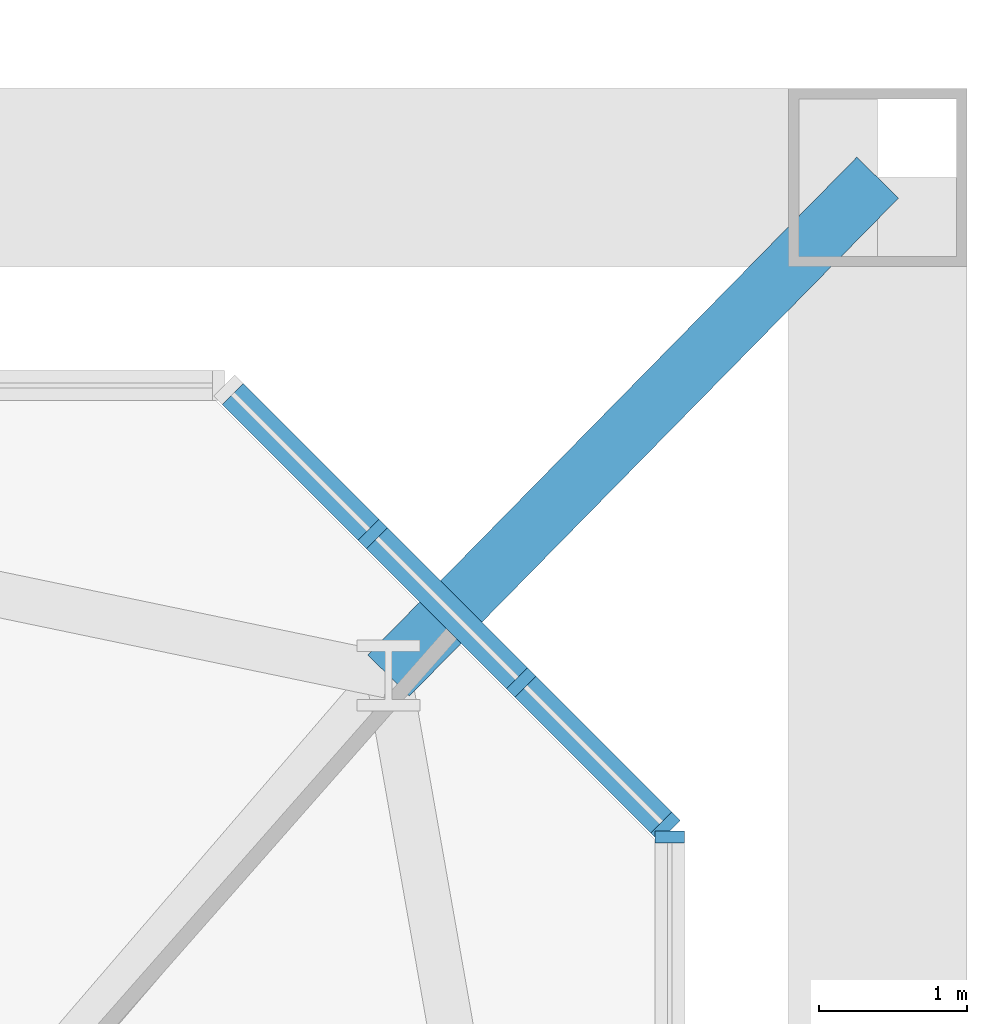
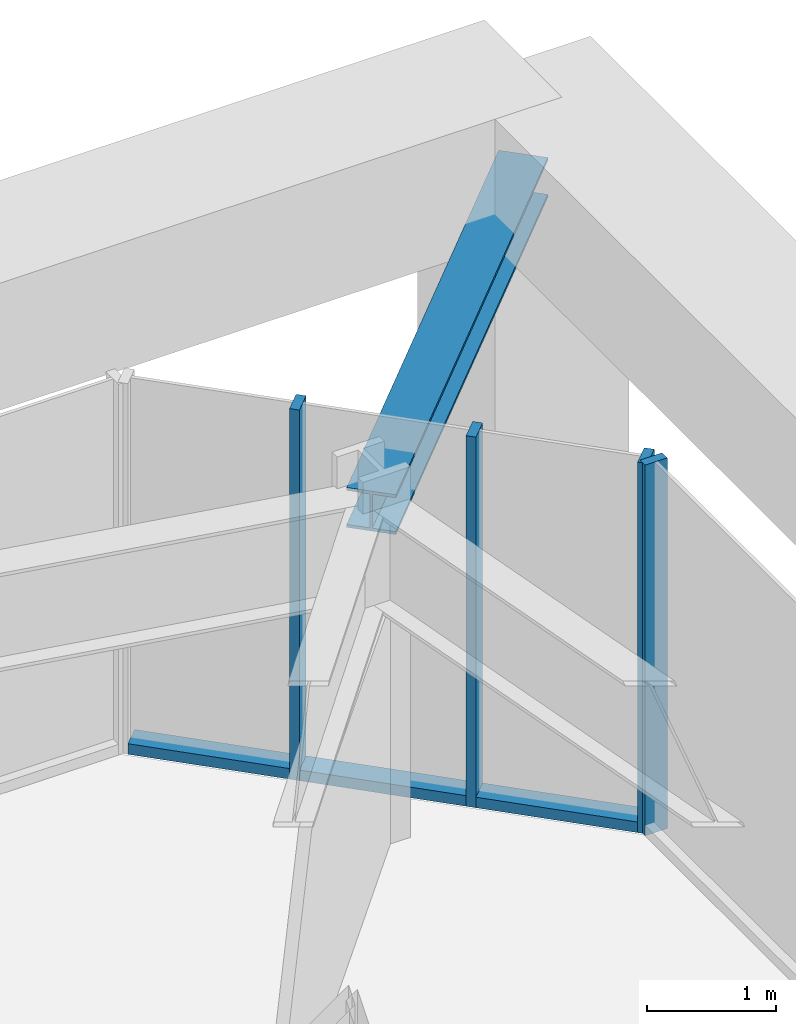
# One storey, part 17 of 32: 8 members, 2 elements without a shape of their own.
"""IFC4 building model written with IfcOpenShell, lengths in metres."""

from ifc_helpers import new_model, si_unit, direction, frame, origin, origin_2d, place, context, subcontext, project, spatial, rectangle, i_section, extrude, material, material_profile, profile_set, type_object, element, aggregate, save


model = new_model("IFC4")

# Units and contexts
model_context = context("Model", 3, precision=1e-05, world=origin(), true_north=direction((0.0, 1.0)))
body_context = subcontext(model_context, "Body", "Model", "MODEL_VIEW")
ifc_project = project(units=[si_unit("LENGTHUNIT", "METRE"), si_unit("AREAUNIT", "SQUARE_METRE"), si_unit("VOLUMEUNIT", "CUBIC_METRE"), si_unit("PLANEANGLEUNIT", "RADIAN"), si_unit("MASSUNIT", "GRAM", prefix="KILO")], contexts=[model_context])

# Site, building, storey
site_placement = place(None, origin())
site = spatial("IfcSite", under=ifc_project, at=site_placement, CompositionType="ELEMENT")
building_placement = place(site_placement, origin())
building = spatial("IfcBuilding", under=site, at=building_placement, Name="Iwan Alto Co-Living Towers", CompositionType="ELEMENT")
storey_placement = place(building_placement, frame((0.0, 0.0, 71.0)))
storey = spatial("IfcBuildingStorey", under=building, at=storey_placement, Name="L19", CompositionType="ELEMENT", Elevation=71.0)

# Curtain wall, member
ifc_material_1 = material(Name="Bronze aluminium unitised frame", Category="aluminium")
curtain_wall_type_1 = type_object("IfcCurtainWallType", Name="CURTAIN WALL CW-C", PredefinedType="NOTDEFINED", material=ifc_material_1)
curtain_wall_1_placement = place(storey_placement, origin())
curtain_wall_1 = element("IfcCurtainWall", 1, at=curtain_wall_1_placement, inside=storey, type_object=curtain_wall_type_1, Name="T2 curtain wall E L19", PredefinedType="NOTDEFINED")
ifc_material_2 = material(Name="Aluminium 6063-T6 bronze anodised", Category="aluminium")
ifc_material_profile_1 = material_profile(ifc_material_2, rectangle(XDim=0.199951171875, YDim=0.080078125, at=origin_2d()), Name="AL 80X200")
ifc_profile_set_1 = profile_set([ifc_material_profile_1], Name="Aluminium 6063-T6 bronze anodised")
member_type_1 = type_object("IfcMemberType", Name="CW-C MULLION 80X200", PredefinedType="MULLION", material=ifc_profile_set_1)
member_1_placement = place(storey_placement, frame((79.5, 15.7099609375, 0.0), z_axis=(0.0, 0.0, 1.0), x_axis=(-1.0, 0.0, 0.0)))
member_1 = element("IfcMember", 2, at=member_1_placement, type_object=member_type_1, Name="CW-C mullion 8", PredefinedType="MULLION", context=body_context, shape_type="SweptSolid", body=[
    extrude(rectangle(XDim=0.199951171875, YDim=0.080078125, at=origin_2d()), origin(), (0.0, 0.0, 1.0), 3.5),
])
aggregate(curtain_wall_1, [member_1])

# Curtain wall, members
ifc_material_3 = material(Name="Bronze aluminium unitised frame", Category="aluminium")
curtain_wall_type_2 = type_object("IfcCurtainWallType", Name="CURTAIN WALL CW-D", PredefinedType="NOTDEFINED", material=ifc_material_3)
curtain_wall_2_placement = place(storey_placement, origin())
curtain_wall_2 = element("IfcCurtainWall", 3, at=curtain_wall_2_placement, inside=storey, type_object=curtain_wall_type_2, Name="T2 chamfer curtain wall NE L19", PredefinedType="NOTDEFINED")
ifc_material_4 = material(Name="Aluminium 6063-T6 bronze anodised", Category="aluminium")
ifc_material_profile_2 = material_profile(ifc_material_4, rectangle(XDim=0.199951171875, YDim=0.080078125, at=origin_2d()), Name="AL 80X200")
ifc_profile_set_2 = profile_set([ifc_material_profile_2], Name="Aluminium 6063-T6 bronze anodised")
member_type_2 = type_object("IfcMemberType", Name="CW-D MULLION 80X200", PredefinedType="MULLION", material=ifc_profile_set_2)
member_2_placement = place(storey_placement, frame((79.4716796875, 15.7783203125, 0.0), z_axis=(0.0, 0.0, 1.0), x_axis=(-0.707106781187, -0.707106781187, 0.0)))
member_2 = element("IfcMember", 4, at=member_2_placement, type_object=member_type_2, Name="CW-D mullion 1", PredefinedType="MULLION", context=body_context, shape_type="SweptSolid", body=[
    extrude(rectangle(XDim=0.199951171875, YDim=0.080078125, at=origin_2d()), origin(), (0.0, 0.0, 1.0), 3.5),
])
member_3_placement = place(storey_placement, frame((78.5, 16.75, 0.0), z_axis=(0.0, 0.0, 1.0), x_axis=(-0.707106781187, -0.707106781187, 0.0)))
member_3 = element("IfcMember", 5, at=member_3_placement, type_object=member_type_2, Name="CW-D mullion 2", PredefinedType="MULLION", context=body_context, shape_type="SweptSolid", body=[
    extrude(rectangle(XDim=0.199951171875, YDim=0.080078125, at=origin_2d()), origin(), (0.0, 0.0, 1.0), 3.5),
])
member_4_placement = place(storey_placement, frame((77.5, 17.75, 0.0), z_axis=(0.0, 0.0, 1.0), x_axis=(-0.707106781187, -0.707106781187, 0.0)))
member_4 = element("IfcMember", 6, at=member_4_placement, type_object=member_type_2, Name="CW-D mullion 3", PredefinedType="MULLION", context=body_context, shape_type="SweptSolid", body=[
    extrude(rectangle(XDim=0.199951171875, YDim=0.080078125, at=origin_2d()), origin(), (0.0, 0.0, 1.0), 3.5),
])
ifc_material_5 = material(Name="Aluminium 6063-T6 bronze anodised", Category="aluminium")
ifc_material_profile_3 = material_profile(ifc_material_5, rectangle(XDim=0.199951171875, YDim=0.10009765625, at=origin_2d()), Name="AL 200X100")
ifc_profile_set_3 = profile_set([ifc_material_profile_3], Name="Aluminium 6063-T6 bronze anodised")
member_type_3 = type_object("IfcMemberType", Name="CW-D TRANSOM 200X100", PredefinedType="USERDEFINED", material=ifc_profile_set_3)
member_5_placement = place(storey_placement, frame((79.443359375, 15.806640625, 0.050048828125), z_axis=(-0.707106781187, 0.707106781187, 0.0), x_axis=(-0.707106781187, -0.707106781187, 0.0)))
member_5 = element("IfcMember", 7, at=member_5_placement, type_object=member_type_3, Name="CW-D transom 1.1", ObjectType="TRANSOM", PredefinedType="USERDEFINED", context=body_context, shape_type="SweptSolid", body=[
    extrude(rectangle(XDim=0.199951171875, YDim=0.10009765625, at=origin_2d()), origin(), (0.0, 0.0, 1.0), 1.2939453125),
])
member_6_placement = place(storey_placement, frame((78.4716796875, 16.7783203125, 0.050048828125), z_axis=(-0.707106781187, 0.707106781187, 0.0), x_axis=(-0.707106781187, -0.707106781187, 0.0)))
member_6 = element("IfcMember", 8, at=member_6_placement, type_object=member_type_3, Name="CW-D transom 2.1", ObjectType="TRANSOM", PredefinedType="USERDEFINED", context=body_context, shape_type="SweptSolid", body=[
    extrude(rectangle(XDim=0.199951171875, YDim=0.10009765625, at=origin_2d()), origin(), (0.0, 0.0, 1.0), 1.334228515625),
])
member_7_placement = place(storey_placement, frame((77.4716796875, 17.7783203125, 0.050048828125), z_axis=(-0.707106781187, 0.707106781187, 0.0), x_axis=(-0.707106781187, -0.707106781187, 0.0)))
member_7 = element("IfcMember", 9, at=member_7_placement, type_object=member_type_3, Name="CW-D transom 3.1", ObjectType="TRANSOM", PredefinedType="USERDEFINED", context=body_context, shape_type="SweptSolid", body=[
    extrude(rectangle(XDim=0.199951171875, YDim=0.10009765625, at=origin_2d()), origin(), (0.0, 0.0, 1.0), 1.2939453125),
])
aggregate(curtain_wall_2, [member_2, member_3, member_4, member_5, member_6, member_7])

# Member
ifc_material_6 = material(Name="Steel ASTM A992 Gr 50", Category="steel")
ifc_material_profile_4 = material_profile(ifc_material_6, i_section(OverallWidth=0.393798828125, OverallDepth=0.3759765625, WebThickness=0.017333984375, FlangeThickness=0.027587890625, at=origin_2d()), Name="W14X145")
ifc_profile_set_4 = profile_set([ifc_material_profile_4], Name="Steel ASTM A992 Gr 50")
member_type_4 = type_object("IfcMemberType", Name="T2 MEGA COLUMN FLOOR TIE W14X145", PredefinedType="STRUT", material=ifc_profile_set_4)
member_8_placement = place(storey_placement, frame((80.89990234375, 20.14990234375, 3.011962890625), z_axis=(-0.700793469544, -0.71336422187, 0.0), x_axis=(0.71336422187, -0.700793469544, 0.0)))
element("IfcMember", 10, at=member_8_placement, inside=storey, type_object=member_type_4, Name="T2 mega column floor tie NE L20", PredefinedType="STRUT", context=body_context, shape_type="SweptSolid", body=[
    extrude(i_section(OverallWidth=0.393798828125, OverallDepth=0.3759765625, WebThickness=0.017333984375, FlangeThickness=0.027587890625, at=origin_2d()), origin(), (0.0, 0.0, 1.0), 4.699951171875),
])

save(model, "model.ifc")
